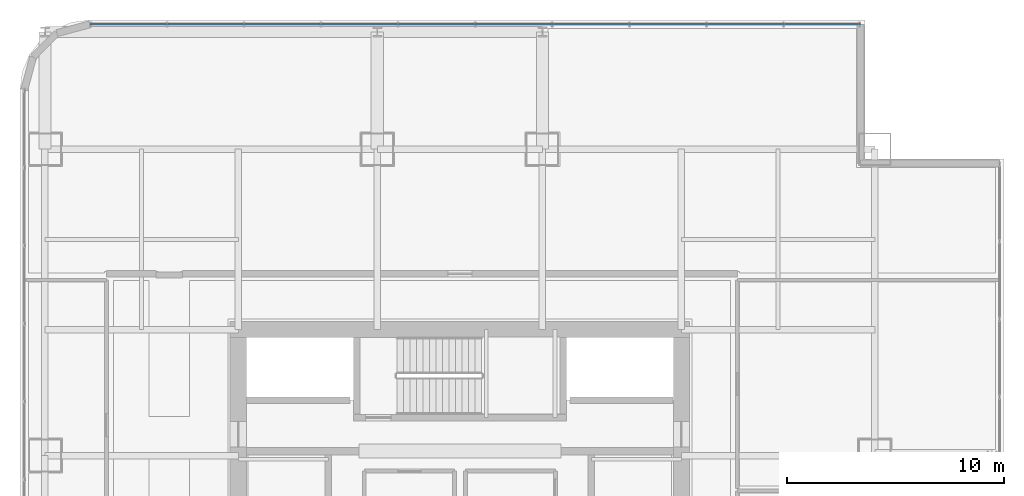
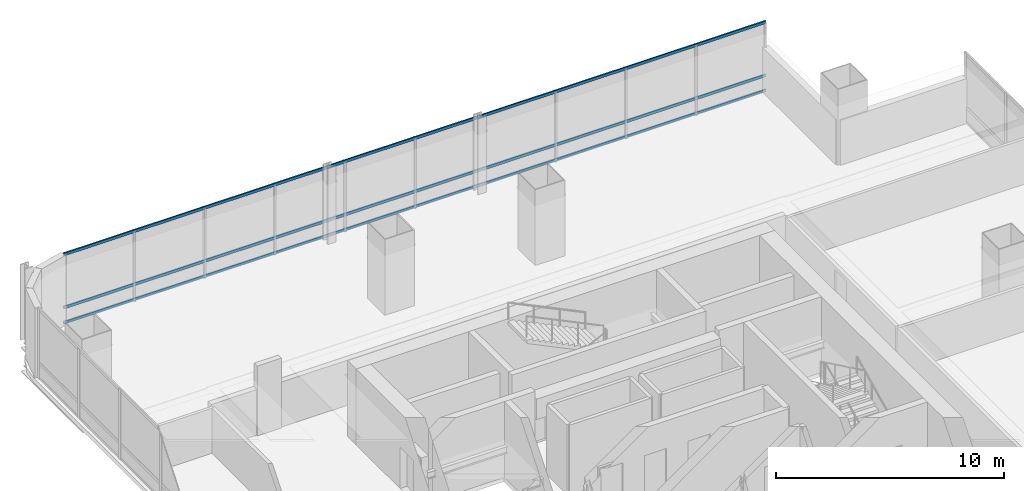
# One storey, part 23 of 33: 3 members, 1 element without a shape of its own.
"""IFC4 building model written with IfcOpenShell, lengths in metres."""

from ifc_helpers import new_model, si_unit, direction, frame, origin, origin_2d, place, context, subcontext, project, spatial, hollow_rectangle, extrude, material, material_profile, profile_set, type_object, element, aggregate, save


model = new_model("IFC4")

# Units and contexts
model_context = context("Model", 3, precision=1e-05, world=origin(), true_north=direction((0.0, 1.0)))
body_context = subcontext(model_context, "Body", "Model", "MODEL_VIEW")
ifc_project = project(units=[si_unit("LENGTHUNIT", "METRE"), si_unit("AREAUNIT", "SQUARE_METRE"), si_unit("VOLUMEUNIT", "CUBIC_METRE"), si_unit("PLANEANGLEUNIT", "RADIAN"), si_unit("MASSUNIT", "GRAM", prefix="KILO")], contexts=[model_context])

# Site, building, storey
site_placement = place(None, origin())
site = spatial("IfcSite", under=ifc_project, at=site_placement, CompositionType="ELEMENT")
building_placement = place(site_placement, origin())
building = spatial("IfcBuilding", under=site, at=building_placement, Name="Punatoya Terracotta Tower", CompositionType="ELEMENT")
storey_placement = place(building_placement, frame((0.0, 0.0, 121.35009765625)))
storey = spatial("IfcBuildingStorey", under=building, at=storey_placement, Name="L28", CompositionType="ELEMENT", Elevation=121.35009765625)

# Curtain wall, members
ifc_material_1 = material(Name="Aluminium 6063-T6 + Double Low-E Glass", Category="aluminium")
curtain_wall_type = type_object("IfcCurtainWallType", Name="CW-M1", PredefinedType="NOTDEFINED", material=ifc_material_1)
curtain_wall_placement = place(storey_placement, origin())
curtain_wall = element("IfcCurtainWall", 1, at=curtain_wall_placement, inside=storey, type_object=curtain_wall_type, Name="L28 Curtain Wall CW-L28-N08-1", PredefinedType="NOTDEFINED")
ifc_material_2 = material(Name="Aluminium 6063-T6", Category="aluminium")
ifc_material_profile = material_profile(ifc_material_2, hollow_rectangle(XDim=0.068115234375, YDim=0.14990234375, WallThickness=0.00390625, at=origin_2d()))
ifc_profile_set = profile_set([ifc_material_profile], Name="Aluminium 6063-T6")
member_type = type_object("IfcMemberType", Name="CW-TRN-TYP", PredefinedType="USERDEFINED", material=ifc_profile_set)
member_1_placement = place(storey_placement, frame((18.449951171875, 23.25, 0.039794921875), z_axis=(-1.0, 0.0, 0.0), x_axis=(0.0, -1.0, 0.0)))
member_1 = element("IfcMember", 2, at=member_1_placement, type_object=member_type, Name="CW-L28-N08-1 Transom 1", ObjectType="TRANSOM", PredefinedType="USERDEFINED", context=body_context, shape_type="SweptSolid", body=[
    extrude(hollow_rectangle(XDim=0.068115234375, YDim=0.14990234375, WallThickness=0.00390625, at=origin_2d()), origin(), (0.0, 0.0, 1.0), 35.48681640625),
])
member_2_placement = place(storey_placement, frame((18.449951171875, 23.25, 0.849853515625), z_axis=(-1.0, 0.0, 0.0), x_axis=(0.0, -1.0, 0.0)))
member_2 = element("IfcMember", 3, at=member_2_placement, type_object=member_type, Name="CW-L28-N08-1 Transom 2", ObjectType="TRANSOM", PredefinedType="USERDEFINED", context=body_context, shape_type="SweptSolid", body=[
    extrude(hollow_rectangle(XDim=0.068115234375, YDim=0.14990234375, WallThickness=0.00390625, at=origin_2d()), origin(), (0.0, 0.0, 1.0), 35.48681640625),
])
member_3_placement = place(storey_placement, frame((18.449951171875, 23.25, 3.68994140625), z_axis=(-1.0, 0.0, 0.0), x_axis=(0.0, -1.0, 0.0)))
member_3 = element("IfcMember", 4, at=member_3_placement, type_object=member_type, Name="CW-L28-N08-1 Transom 3", ObjectType="TRANSOM", PredefinedType="USERDEFINED", context=body_context, shape_type="SweptSolid", body=[
    extrude(hollow_rectangle(XDim=0.068115234375, YDim=0.14990234375, WallThickness=0.00390625, at=origin_2d()), origin(), (0.0, 0.0, 1.0), 35.48681640625),
])
aggregate(curtain_wall, [member_1, member_2, member_3])

save(model, "model.ifc")
